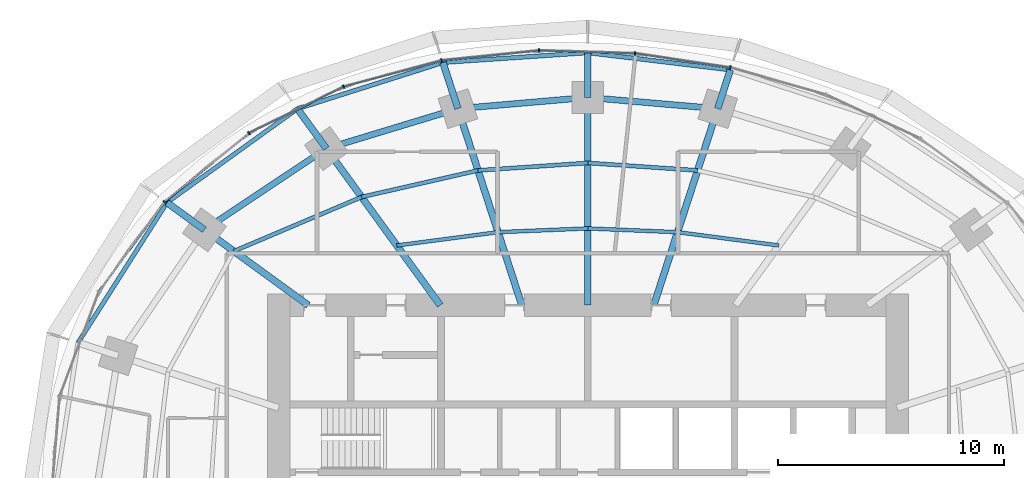
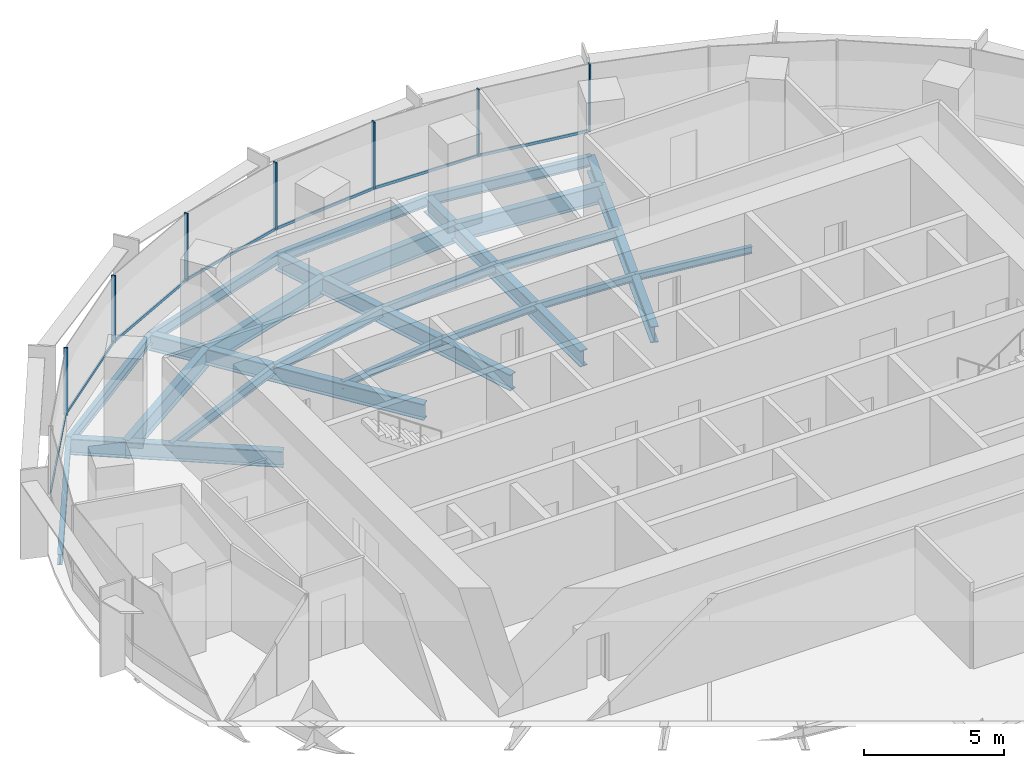
# One storey, part 7 of 14: 27 beams, 14 members, 2 elements without a shape of their own.
"""IFC4 building model written with IfcOpenShell, lengths in metres."""

from ifc_helpers import new_model, si_unit, direction, frame, origin, origin_2d, place, context, subcontext, project, spatial, rectangle, i_section, extrude, material, material_profile, profile_set, type_object, element, aggregate, save


model = new_model("IFC4")

# Units and contexts
model_context = context("Model", 3, precision=1e-05, world=origin(), true_north=direction((0.0, 1.0)))
body_context = subcontext(model_context, "Body", "Model", "MODEL_VIEW")
ifc_project = project(units=[si_unit("LENGTHUNIT", "METRE"), si_unit("AREAUNIT", "SQUARE_METRE"), si_unit("VOLUMEUNIT", "CUBIC_METRE"), si_unit("PLANEANGLEUNIT", "RADIAN"), si_unit("MASSUNIT", "GRAM", prefix="KILO")], contexts=[model_context])

# Site, building, storey
site_placement = place(None, origin())
site = spatial("IfcSite", under=ifc_project, at=site_placement, CompositionType="ELEMENT")
building_placement = place(site_placement, origin())
building = spatial("IfcBuilding", under=site, at=building_placement, Name="Marramba Exchange Tower", CompositionType="ELEMENT")
storey_placement = place(building_placement, frame((0.0, 0.0, 179.89990234375)))
storey = spatial("IfcBuildingStorey", under=building, at=storey_placement, Name="L43", CompositionType="ELEMENT", Elevation=179.89990234375)

# Beams
ifc_material_1 = material(Name="Steel AS/NZS 3679.2 grade 300", Category="steel")
ifc_material_profile_1 = material_profile(ifc_material_1, i_section(OverallWidth=0.300048828125, OverallDepth=0.699951171875, WebThickness=0.010009765625, FlangeThickness=0.031982421875, at=origin_2d()), Name="700WB173")
ifc_profile_set_1 = profile_set([ifc_material_profile_1], Name="Steel AS/NZS 3679.2 grade 300")
beam_type_1 = type_object("IfcBeamType", Name="Cantilever girder 700WB173", PredefinedType="BEAM", material=ifc_profile_set_1)
beam_1_placement = place(storey_placement, frame((5.75390625, 17.70849609375, -0.510009765625), z_axis=(0.308960771946, 0.951074782232, 0.0), x_axis=(-0.951074782232, 0.308960771946, 0.0)))
element("IfcBeam", 1, at=beam_1_placement, inside=storey, type_object=beam_type_1, Name="Cantilever girder L43 TC05", PredefinedType="BEAM", context=body_context, shape_type="SweptSolid", body=[
    extrude(i_section(OverallWidth=0.300048828125, OverallDepth=0.699951171875, WebThickness=0.010009765625, FlangeThickness=0.031982421875, at=origin_2d()), origin(), (0.0, 0.0, 1.0), 1.806396484375),
])
beam_2_placement = place(storey_placement, frame((0.0, 18.2041015625, -0.510009765625), z_axis=(0.0, 1.0, 0.0), x_axis=(-1.0, 0.0, 0.0)))
element("IfcBeam", 2, at=beam_2_placement, inside=storey, type_object=beam_type_1, Name="Cantilever girder L43 TC06", PredefinedType="BEAM", context=body_context, shape_type="SweptSolid", body=[
    extrude(i_section(OverallWidth=0.300048828125, OverallDepth=0.699951171875, WebThickness=0.010009765625, FlangeThickness=0.031982421875, at=origin_2d()), origin(), (0.0, 0.0, 1.0), 1.982177734375),
])
beam_3_placement = place(storey_placement, frame((-5.75390625, 17.70849609375, -0.510009765625), z_axis=(-0.308998798068, 0.951062428441, 0.0), x_axis=(-0.951062428441, -0.308998798068, 0.0)))
element("IfcBeam", 3, at=beam_3_placement, inside=storey, type_object=beam_type_1, Name="Cantilever girder L43 TC07", PredefinedType="BEAM", context=body_context, shape_type="SweptSolid", body=[
    extrude(i_section(OverallWidth=0.300048828125, OverallDepth=0.699951171875, WebThickness=0.010009765625, FlangeThickness=0.031982421875, at=origin_2d()), origin(), (0.0, 0.0, 1.0), 2.150634765625),
])
beam_4_placement = place(storey_placement, frame((-11.581298828125, 15.9404296875, -0.510009765625), z_axis=(-0.587832433352, 0.808982713226, 0.0), x_axis=(-0.808982713226, -0.587832433352, 0.0)))
element("IfcBeam", 4, at=beam_4_placement, inside=storey, type_object=beam_type_1, Name="Cantilever girder L43 TC08", PredefinedType="BEAM", context=body_context, shape_type="SweptSolid", body=[
    extrude(i_section(OverallWidth=0.300048828125, OverallDepth=0.699951171875, WebThickness=0.010009765625, FlangeThickness=0.031982421875, at=origin_2d()), origin(), (0.0, 0.0, 1.0), 2.1826171875),
])
beam_5_placement = place(storey_placement, frame((-16.98583984375, 12.3408203125, -0.510009765625), z_axis=(-0.808962446125, 0.587860324192, 0.0), x_axis=(-0.587860324192, -0.808962446125, 0.0)))
element("IfcBeam", 5, at=beam_5_placement, inside=storey, type_object=beam_type_1, Name="Cantilever girder L43 TC09", PredefinedType="BEAM", context=body_context, shape_type="SweptSolid", body=[
    extrude(i_section(OverallWidth=0.300048828125, OverallDepth=0.699951171875, WebThickness=0.010009765625, FlangeThickness=0.031982421875, at=origin_2d()), origin(), (0.0, 0.0, 1.0), 2.051513671875),
])
ifc_material_2 = material(Name="Steel AS/NZS 3679.1 grade 300", Category="steel")
ifc_material_profile_2 = material_profile(ifc_material_2, i_section(OverallWidth=0.166015625, OverallDepth=0.306884765625, WebThickness=0.006591796875, FlangeThickness=0.01171875, FilletRadius=0.011474609375, at=origin_2d()), Name="310UB46.2")
ifc_profile_set_2 = profile_set([ifc_material_profile_2], Name="Steel AS/NZS 3679.1 grade 300")
beam_type_2 = type_object("IfcBeamType", Name="Floor joist 310UB46.2", PredefinedType="JOIST", material=ifc_profile_set_2)
beam_6_placement = place(storey_placement, frame((8.4619140625, 11.646728515625, -0.3134765625), z_axis=(-0.991480538255, 0.130254912618, 0.0), x_axis=(-0.130254912618, -0.991480538255, 0.0)))
element("IfcBeam", 6, at=beam_6_placement, inside=storey, type_object=beam_type_2, Name="Joist L43 bay 04 row 1", PredefinedType="JOIST", context=body_context, shape_type="SweptSolid", body=[
    extrude(i_section(OverallWidth=0.166015625, OverallDepth=0.306884765625, WebThickness=0.006591796875, FlangeThickness=0.01171875, FilletRadius=0.011474609375, at=origin_2d()), origin(), (0.0, 0.0, 1.0), 4.524658203125),
])
for number, where, z_axis, x_axis, name in (
    (7, (3.975830078125, 12.236083984375, -0.3134765625), (-0.999137002892, 0.041536122257, 0.0), (-0.041536122257, -0.999137002892, 0.0), "Joist L43 bay 05 row 1"),
    (8, (0.0, 12.4013671875, -0.3134765625), (-0.999137002892, -0.041536122257, 0.0), (0.041536122257, -0.999137002892, 0.0), "Joist L43 bay 06 row 1"),
):
    element("IfcBeam", number, at=place(storey_placement, frame(where, z_axis=z_axis, x_axis=x_axis)), inside=storey, type_object=beam_type_2, Name=name, PredefinedType="JOIST", context=body_context, shape_type="SweptSolid", body=[
        extrude(i_section(OverallWidth=0.166015625, OverallDepth=0.306884765625, WebThickness=0.006591796875, FlangeThickness=0.01171875, FilletRadius=0.011474609375, at=origin_2d()), origin(), (0.0, 0.0, 1.0), 3.979248046875),
    ])
beam_7_placement = place(storey_placement, frame((-3.975830078125, 12.236083984375, -0.3134765625), z_axis=(-0.991480538255, -0.130254912618, 0.0), x_axis=(0.130254912618, -0.991480538255, 0.0)))
element("IfcBeam", 9, at=beam_7_placement, inside=storey, type_object=beam_type_2, Name="Joist L43 bay 07 row 1", PredefinedType="JOIST", context=body_context, shape_type="SweptSolid", body=[
    extrude(i_section(OverallWidth=0.166015625, OverallDepth=0.306884765625, WebThickness=0.006591796875, FlangeThickness=0.01171875, FilletRadius=0.011474609375, at=origin_2d()), origin(), (0.0, 0.0, 1.0), 4.524658203125),
])
ifc_material_profile_3 = material_profile(ifc_material_2, i_section(OverallWidth=0.177978515625, OverallDepth=0.406005859375, WebThickness=0.0078125, FlangeThickness=0.0126953125, FilletRadius=0.011474609375, at=origin_2d()), Name="410UB59.7")
ifc_profile_set_3 = profile_set([ifc_material_profile_3], Name="Steel AS/NZS 3679.1 grade 300")
beam_type_3 = type_object("IfcBeamType", Name="Floor joist 410UB59.7", PredefinedType="JOIST", material=ifc_profile_set_3)
for number, where, z_axis, x_axis, name in (
    (10, (4.86474609375, 14.972412109375, -0.36279296875), (-0.997702652202, 0.067745241816, 0.0), (-0.067745241816, -0.997702652202, 0.0), "Joist L43 bay 05 row 2"),
    (11, (0.0, 15.302734375, -0.36279296875), (-0.997702652202, -0.067745241816, 0.0), (0.067745241816, -0.997702652202, 0.0), "Joist L43 bay 06 row 2"),
):
    element("IfcBeam", number, at=place(storey_placement, frame(where, z_axis=z_axis, x_axis=x_axis)), inside=storey, type_object=beam_type_3, Name=name, PredefinedType="JOIST", context=body_context, shape_type="SweptSolid", body=[
        extrude(i_section(OverallWidth=0.177978515625, OverallDepth=0.406005859375, WebThickness=0.0078125, FlangeThickness=0.0126953125, FilletRadius=0.011474609375, at=origin_2d()), origin(), (0.0, 0.0, 1.0), 4.8759765625),
    ])
beam_8_placement = place(storey_placement, frame((-4.86474609375, 14.972412109375, -0.36279296875), z_axis=(-0.974859652292, -0.222819788916, 0.0), x_axis=(0.222819788916, -0.974859652292, 0.0)))
element("IfcBeam", 12, at=beam_8_placement, inside=storey, type_object=beam_type_3, Name="Joist L43 bay 07 row 2", PredefinedType="JOIST", context=body_context, shape_type="SweptSolid", body=[
    extrude(i_section(OverallWidth=0.177978515625, OverallDepth=0.406005859375, WebThickness=0.0078125, FlangeThickness=0.0126953125, FilletRadius=0.011474609375, at=origin_2d()), origin(), (0.0, 0.0, 1.0), 5.2900390625),
])
beam_9_placement = place(storey_placement, frame((-10.021728515625, 13.793701171875, -0.36279296875), z_axis=(-0.920674336375, -0.390331610738, 0.0), x_axis=(0.390331610738, -0.920674336375, 0.0)))
element("IfcBeam", 13, at=beam_9_placement, inside=storey, type_object=beam_type_3, Name="Joist L43 bay 08 row 2", PredefinedType="JOIST", context=body_context, shape_type="SweptSolid", body=[
    extrude(i_section(OverallWidth=0.177978515625, OverallDepth=0.406005859375, WebThickness=0.0078125, FlangeThickness=0.0126953125, FilletRadius=0.011474609375, at=origin_2d()), origin(), (0.0, 0.0, 1.0), 6.1484375),
])

# Curtain wall, members
ifc_material_3 = material(Name="Aluminium framing, bronze anodised", Category="aluminium")
curtain_wall_type = type_object("IfcCurtainWallType", Name="Office ribbon curtain wall", PredefinedType="USERDEFINED", material=ifc_material_3)
curtain_wall_1_placement = place(storey_placement, origin())
curtain_wall_1 = element("IfcCurtainWall", 14, at=curtain_wall_1_placement, inside=storey, type_object=curtain_wall_type, Name="Curtain wall CW4 L43 F06-F10", ObjectType="RIBBON CURTAIN WALL", PredefinedType="USERDEFINED")
ifc_material_4 = material(Name="Aluminium mullion, bronze anodised", Category="aluminium")
ifc_material_profile_4 = material_profile(ifc_material_4, rectangle(XDim=0.159912109375, YDim=0.06005859375, at=origin_2d()), Name="CW4 mullion 60x160")
ifc_profile_set_4 = profile_set([ifc_material_profile_4], Name="Aluminium mullion, bronze anodised")
member_type_1 = type_object("IfcMemberType", Name="Office ribbon curtain wall mullion", PredefinedType="MULLION", material=ifc_profile_set_4)
member_1_placement = place(storey_placement, frame((6.313232421875, 19.526123046875, 0.800048828125), z_axis=(0.0, 0.0, 1.0), x_axis=(-0.148794988635, -0.988868065698, 0.0)))
member_1 = element("IfcMember", 15, at=member_1_placement, type_object=member_type_1, Name="CW4 mullion 1", PredefinedType="MULLION", context=body_context, shape_type="SweptSolid", body=[
    extrude(rectangle(XDim=0.159912109375, YDim=0.06005859375, at=origin_2d()), origin(), (0.0, 0.0, 1.0), 2.93994140625),
])
member_2_placement = place(storey_placement, frame((2.088623046875, 20.158203125, 0.800048828125), z_axis=(0.0, 0.0, 1.0), x_axis=(-0.03039385249, -0.999538000143, 0.0)))
member_2 = element("IfcMember", 16, at=member_2_placement, type_object=member_type_1, Name="CW4 mullion 1", PredefinedType="MULLION", context=body_context, shape_type="SweptSolid", body=[
    extrude(rectangle(XDim=0.159912109375, YDim=0.06005859375, at=origin_2d()), origin(), (0.0, 0.0, 1.0), 2.93994140625),
])
member_3_placement = place(storey_placement, frame((-2.162109375, 20.28369140625, 0.800048828125), z_axis=(0.0, 0.0, 1.0), x_axis=(0.100862673507, -0.994900357369, 0.0)))
member_3 = element("IfcMember", 17, at=member_3_placement, type_object=member_type_1, Name="CW4 mullion 1", PredefinedType="MULLION", context=body_context, shape_type="SweptSolid", body=[
    extrude(rectangle(XDim=0.159912109375, YDim=0.06005859375, at=origin_2d()), origin(), (0.0, 0.0, 1.0), 2.93994140625),
])
member_4_placement = place(storey_placement, frame((-6.478271484375, 19.84130859375, 0.800048828125), z_axis=(0.0, 0.0, 1.0), x_axis=(0.257641223778, -0.966240653155, 0.0)))
member_4 = element("IfcMember", 18, at=member_4_placement, type_object=member_type_1, Name="CW4 mullion 1", PredefinedType="MULLION", context=body_context, shape_type="SweptSolid", body=[
    extrude(rectangle(XDim=0.159912109375, YDim=0.06005859375, at=origin_2d()), origin(), (0.0, 0.0, 1.0), 2.93994140625),
])

curtain_wall_2_placement = place(storey_placement, origin())
curtain_wall_2 = element("IfcCurtainWall", 19, at=curtain_wall_2_placement, inside=storey, type_object=curtain_wall_type, Name="Curtain wall CW4 L43 F11-F15", ObjectType="RIBBON CURTAIN WALL", PredefinedType="USERDEFINED")
member_5_placement = place(storey_placement, frame((-10.818359375, 18.677978515625, 0.800048828125), z_axis=(0.0, 0.0, 1.0), x_axis=(0.438972456661, -0.898500518805, 0.0)))
member_5 = element("IfcMember", 20, at=member_5_placement, type_object=member_type_1, Name="CW4 mullion 1", PredefinedType="MULLION", context=body_context, shape_type="SweptSolid", body=[
    extrude(rectangle(XDim=0.159912109375, YDim=0.06005859375, at=origin_2d()), origin(), (0.0, 0.0, 1.0), 2.93994140625),
])
member_6_placement = place(storey_placement, frame((-15.008056640625, 16.62353515625, 0.800048828125), z_axis=(0.0, 0.0, 1.0), x_axis=(0.630200830464, -0.776432169145, 0.0)))
member_6 = element("IfcMember", 21, at=member_6_placement, type_object=member_type_1, Name="CW4 mullion 1", PredefinedType="MULLION", context=body_context, shape_type="SweptSolid", body=[
    extrude(rectangle(XDim=0.159912109375, YDim=0.06005859375, at=origin_2d()), origin(), (0.0, 0.0, 1.0), 2.93994140625),
])
member_7_placement = place(storey_placement, frame((-18.744140625, 13.581298828125, 0.800048828125), z_axis=(0.0, 0.0, 1.0), x_axis=(0.805965197024, -0.591962922138, 0.0)))
member_7 = element("IfcMember", 22, at=member_7_placement, type_object=member_type_1, Name="CW4 mullion 1", PredefinedType="MULLION", context=body_context, shape_type="SweptSolid", body=[
    extrude(rectangle(XDim=0.159912109375, YDim=0.06005859375, at=origin_2d()), origin(), (0.0, 0.0, 1.0), 2.93994140625),
])

# Member
ifc_material_5 = material(Name="Aluminium transom, bronze anodised", Category="aluminium")
ifc_material_profile_5 = material_profile(ifc_material_5, rectangle(XDim=0.06005859375, YDim=0.1201171875, at=origin_2d()), Name="CW4 transom 60x120")
ifc_profile_set_5 = profile_set([ifc_material_profile_5], Name="Aluminium transom, bronze anodised")
member_type_2 = type_object("IfcMemberType", Name="Office ribbon curtain wall transom", PredefinedType="USERDEFINED", material=ifc_profile_set_5)
member_8_placement = place(storey_placement, frame((6.28369140625, 19.53076171875, 0.830078125), z_axis=(-0.988868222508, 0.148793946493, 0.0), x_axis=(-0.148793946493, -0.988868222508, 0.0)))
member_8 = element("IfcMember", 23, at=member_8_placement, type_object=member_type_2, Name="CW4 sill transom", ObjectType="TRANSOM", PredefinedType="USERDEFINED", context=body_context, shape_type="SweptSolid", body=[
    extrude(rectangle(XDim=0.06005859375, YDim=0.1201171875, at=origin_2d()), origin(), (0.0, 0.0, 1.0), 4.2119140625),
])

member_9_placement = place(storey_placement, frame((2.05859375, 20.1591796875, 0.830078125), z_axis=(-0.99953796835, 0.030394898024, 0.0), x_axis=(-0.030394898024, -0.99953796835, 0.0)))
member_9 = element("IfcMember", 24, at=member_9_placement, type_object=member_type_2, Name="CW4 sill transom", ObjectType="TRANSOM", PredefinedType="USERDEFINED", context=body_context, shape_type="SweptSolid", body=[
    extrude(rectangle(XDim=0.06005859375, YDim=0.1201171875, at=origin_2d()), origin(), (0.0, 0.0, 1.0), 4.19287109375),
])

member_10_placement = place(storey_placement, frame((-2.19189453125, 20.280517578125, 0.830078125), z_axis=(-0.99489954864, -0.100870650418, 0.0), x_axis=(0.100870650418, -0.99489954864, 0.0)))
member_10 = element("IfcMember", 25, at=member_10_placement, type_object=member_type_2, Name="CW4 sill transom", ObjectType="TRANSOM", PredefinedType="USERDEFINED", context=body_context, shape_type="SweptSolid", body=[
    extrude(rectangle(XDim=0.06005859375, YDim=0.1201171875, at=origin_2d()), origin(), (0.0, 0.0, 1.0), 4.279052734375),
])

member_11_placement = place(storey_placement, frame((-6.50732421875, 19.83349609375, 0.830078125), z_axis=(-0.966237681407, -0.25765236857, 0.0), x_axis=(0.25765236857, -0.966237681407, 0.0)))
member_11 = element("IfcMember", 26, at=member_11_placement, type_object=member_type_2, Name="CW4 sill transom", ObjectType="TRANSOM", PredefinedType="USERDEFINED", context=body_context, shape_type="SweptSolid", body=[
    extrude(rectangle(XDim=0.06005859375, YDim=0.1201171875, at=origin_2d()), origin(), (0.0, 0.0, 1.0), 4.43359375),
])

aggregate(curtain_wall_1, [member_1, member_8, member_2, member_9, member_3, member_10, member_4, member_11])

member_12_placement = place(storey_placement, frame((-10.84521484375, 18.664794921875, 0.830078125), z_axis=(-0.898501418486, -0.438970615165, 0.0), x_axis=(0.438970615165, -0.898501418486, 0.0)))
member_12 = element("IfcMember", 27, at=member_12_placement, type_object=member_type_2, Name="CW4 sill transom", ObjectType="TRANSOM", PredefinedType="USERDEFINED", context=body_context, shape_type="SweptSolid", body=[
    extrude(rectangle(XDim=0.06005859375, YDim=0.1201171875, at=origin_2d()), origin(), (0.0, 0.0, 1.0), 4.607177734375),
])

member_13_placement = place(storey_placement, frame((-15.031494140625, 16.6044921875, 0.830078125), z_axis=(-0.776424623019, -0.630210127473, 0.0), x_axis=(0.630210127473, -0.776424623019, 0.0)))
member_13 = element("IfcMember", 28, at=member_13_placement, type_object=member_type_2, Name="CW4 sill transom", ObjectType="TRANSOM", PredefinedType="USERDEFINED", context=body_context, shape_type="SweptSolid", body=[
    extrude(rectangle(XDim=0.06005859375, YDim=0.1201171875, at=origin_2d()), origin(), (0.0, 0.0, 1.0), 4.7587890625),
])

member_14_placement = place(storey_placement, frame((-18.761962890625, 13.55712890625, 0.830078125), z_axis=(-0.591957380483, -0.805969267213, 0.0), x_axis=(0.805969267213, -0.591957380483, 0.0)))
member_14 = element("IfcMember", 29, at=member_14_placement, type_object=member_type_2, Name="CW4 sill transom", ObjectType="TRANSOM", PredefinedType="USERDEFINED", context=body_context, shape_type="SweptSolid", body=[
    extrude(rectangle(XDim=0.06005859375, YDim=0.1201171875, at=origin_2d()), origin(), (0.0, 0.0, 1.0), 4.865478515625),
])

aggregate(curtain_wall_2, [member_5, member_12, member_6, member_13, member_7, member_14])

# Beams
ifc_material_profile_6 = material_profile(ifc_material_1, i_section(OverallWidth=0.300048828125, OverallDepth=0.699951171875, WebThickness=0.010009765625, FlangeThickness=0.031982421875, at=origin_2d()), Name="700WB173")
ifc_profile_set_6 = profile_set([ifc_material_profile_6], Name="Steel AS/NZS 3679.2 grade 300")
beam_type_4 = type_object("IfcBeamType", Name="Radial girder 700WB173", PredefinedType="BEAM", material=ifc_profile_set_6)
beam_10_placement = place(storey_placement, frame((2.92431640625, 9.0, -0.510009765625), z_axis=(0.309019754162, 0.951055619582, 0.0), x_axis=(-0.951055619582, 0.309019754162, 0.0)))
element("IfcBeam", 30, at=beam_10_placement, inside=storey, type_object=beam_type_4, Name="Radial girder L43 TC05", PredefinedType="BEAM", context=body_context, shape_type="SweptSolid", body=[
    extrude(i_section(OverallWidth=0.300048828125, OverallDepth=0.699951171875, WebThickness=0.010009765625, FlangeThickness=0.031982421875, at=origin_2d()), origin(), (0.0, 0.0, 1.0), 9.15673828125),
])
beam_11_placement = place(storey_placement, frame((0.0, 9.0, -0.510009765625), z_axis=(0.0, 1.0, 0.0), x_axis=(-1.0, 0.0, 0.0)))
element("IfcBeam", 31, at=beam_11_placement, inside=storey, type_object=beam_type_4, Name="Radial girder L43 TC06", PredefinedType="BEAM", context=body_context, shape_type="SweptSolid", body=[
    extrude(i_section(OverallWidth=0.300048828125, OverallDepth=0.699951171875, WebThickness=0.010009765625, FlangeThickness=0.031982421875, at=origin_2d()), origin(), (0.0, 0.0, 1.0), 9.2041015625),
])
beam_12_placement = place(storey_placement, frame((-2.92431640625, 9.0, -0.510009765625), z_axis=(-0.309019754162, 0.951055619582, 0.0), x_axis=(-0.951055619582, -0.309019754162, 0.0)))
element("IfcBeam", 32, at=beam_12_placement, inside=storey, type_object=beam_type_4, Name="Radial girder L43 TC07", PredefinedType="BEAM", context=body_context, shape_type="SweptSolid", body=[
    extrude(i_section(OverallWidth=0.300048828125, OverallDepth=0.699951171875, WebThickness=0.010009765625, FlangeThickness=0.031982421875, at=origin_2d()), origin(), (0.0, 0.0, 1.0), 9.15673828125),
])
beam_13_placement = place(storey_placement, frame((-6.538818359375, 9.0, -0.510009765625), z_axis=(-0.587782439969, 0.80901903764, 0.0), x_axis=(-0.80901903764, -0.587782439969, 0.0)))
element("IfcBeam", 33, at=beam_13_placement, inside=storey, type_object=beam_type_4, Name="Radial girder L43 TC08", PredefinedType="BEAM", context=body_context, shape_type="SweptSolid", body=[
    extrude(i_section(OverallWidth=0.300048828125, OverallDepth=0.699951171875, WebThickness=0.010009765625, FlangeThickness=0.031982421875, at=origin_2d()), origin(), (0.0, 0.0, 1.0), 8.578857421875),
])
beam_14_placement = place(storey_placement, frame((-12.387451171875, 9.0, -0.510009765625), z_axis=(-0.809025746925, 0.587773205252, 0.0), x_axis=(-0.587773205252, -0.809025746925, 0.0)))
element("IfcBeam", 34, at=beam_14_placement, inside=storey, type_object=beam_type_4, Name="Radial girder L43 TC09", PredefinedType="BEAM", context=body_context, shape_type="SweptSolid", body=[
    extrude(i_section(OverallWidth=0.300048828125, OverallDepth=0.699951171875, WebThickness=0.010009765625, FlangeThickness=0.031982421875, at=origin_2d()), origin(), (0.0, 0.0, 1.0), 5.683837890625),
])
ifc_material_profile_7 = material_profile(ifc_material_1, i_section(OverallWidth=0.27490234375, OverallDepth=0.800048828125, WebThickness=0.010009765625, FlangeThickness=0.02490234375, at=origin_2d()), Name="800WB168")
ifc_profile_set_7 = profile_set([ifc_material_profile_7], Name="Steel AS/NZS 3679.2 grade 300")
beam_type_5 = type_object("IfcBeamType", Name="Ring beam 800WB168", PredefinedType="SPANDREL", material=ifc_profile_set_7)
for number, where, z_axis, x_axis, name in (
    (35, (5.75390625, 17.70849609375, -0.559814453125), (-0.996311003275, 0.085815993578, 0.0), (-0.085815993578, -0.996311003275, 0.0), "Ring beam L43 TC05-TC06"),
    (36, (0.0, 18.2041015625, -0.559814453125), (-0.996311003275, -0.085815993578, 0.0), (0.085815993578, -0.996311003275, 0.0), "Ring beam L43 TC06-TC07"),
):
    element("IfcBeam", number, at=place(storey_placement, frame(where, z_axis=z_axis, x_axis=x_axis)), inside=storey, type_object=beam_type_5, Name=name, PredefinedType="SPANDREL", context=body_context, shape_type="SweptSolid", body=[
        extrude(i_section(OverallWidth=0.27490234375, OverallDepth=0.800048828125, WebThickness=0.010009765625, FlangeThickness=0.02490234375, at=origin_2d()), origin(), (0.0, 0.0, 1.0), 5.775146484375),
    ])
beam_15_placement = place(storey_placement, frame((-5.75390625, 17.70849609375, -0.559814453125), z_axis=(-0.956924542524, -0.290336735387, 0.0), x_axis=(0.290336735387, -0.956924542524, 0.0)))
element("IfcBeam", 37, at=beam_15_placement, inside=storey, type_object=beam_type_5, Name="Ring beam L43 TC07-TC08", PredefinedType="SPANDREL", context=body_context, shape_type="SweptSolid", body=[
    extrude(i_section(OverallWidth=0.27490234375, OverallDepth=0.800048828125, WebThickness=0.010009765625, FlangeThickness=0.02490234375, at=origin_2d()), origin(), (0.0, 0.0, 1.0), 6.089599609375),
])
beam_16_placement = place(storey_placement, frame((-11.581298828125, 15.9404296875, -0.559814453125), z_axis=(-0.832293151443, -0.554335737673, 0.0), x_axis=(0.554335737673, -0.832293151443, 0.0)))
element("IfcBeam", 38, at=beam_16_placement, inside=storey, type_object=beam_type_5, Name="Ring beam L43 TC08-TC09", PredefinedType="SPANDREL", context=body_context, shape_type="SweptSolid", body=[
    extrude(i_section(OverallWidth=0.27490234375, OverallDepth=0.800048828125, WebThickness=0.010009765625, FlangeThickness=0.02490234375, at=origin_2d()), origin(), (0.0, 0.0, 1.0), 6.49365234375),
])
ifc_material_profile_8 = material_profile(ifc_material_2, i_section(OverallWidth=0.19091796875, OverallDepth=0.4599609375, WebThickness=0.010009765625, FlangeThickness=0.01611328125, FilletRadius=0.011474609375, at=origin_2d()), Name="460UB82.1")
ifc_profile_set_8 = profile_set([ifc_material_profile_8], Name="Steel AS/NZS 3679.1 grade 300")
beam_type_6 = type_object("IfcBeamType", Name="Slab edge beam 460UB82.1", PredefinedType="SPANDREL", material=ifc_profile_set_8)
beam_17_placement = place(storey_placement, frame((6.31201171875, 19.426513671875, -0.389892578125), z_axis=(-0.992833525914, 0.119505605811, 0.0), x_axis=(-0.119505605811, -0.992833525914, 0.0)))
element("IfcBeam", 39, at=beam_17_placement, inside=storey, type_object=beam_type_6, Name="Slab edge beam L43 TC05-TC06", PredefinedType="SPANDREL", context=body_context, shape_type="SweptSolid", body=[
    extrude(i_section(OverallWidth=0.19091796875, OverallDepth=0.4599609375, WebThickness=0.010009765625, FlangeThickness=0.01611328125, FilletRadius=0.011474609375, at=origin_2d()), origin(), (0.0, 0.0, 1.0), 6.357666015625),
])
beam_18_placement = place(storey_placement, frame((0.0, 20.186279296875, -0.389892578125), z_axis=(-0.997738737775, -0.06721168903, 0.0), x_axis=(0.06721168903, -0.997738737775, 0.0)))
element("IfcBeam", 40, at=beam_18_placement, inside=storey, type_object=beam_type_6, Name="Slab edge beam L43 TC06-TC07", PredefinedType="SPANDREL", context=body_context, shape_type="SweptSolid", body=[
    extrude(i_section(OverallWidth=0.19091796875, OverallDepth=0.4599609375, WebThickness=0.010009765625, FlangeThickness=0.01611328125, FilletRadius=0.011474609375, at=origin_2d()), origin(), (0.0, 0.0, 1.0), 6.43310546875),
])
beam_19_placement = place(storey_placement, frame((-6.41845703125, 19.75390625, -0.389892578125), z_axis=(-0.953057484675, -0.302789416766, 0.0), x_axis=(0.302789416766, -0.953057484675, 0.0)))
element("IfcBeam", 41, at=beam_19_placement, inside=storey, type_object=beam_type_6, Name="Slab edge beam L43 TC07-TC08", PredefinedType="SPANDREL", context=body_context, shape_type="SweptSolid", body=[
    extrude(i_section(OverallWidth=0.19091796875, OverallDepth=0.4599609375, WebThickness=0.010009765625, FlangeThickness=0.01611328125, FilletRadius=0.011474609375, at=origin_2d()), origin(), (0.0, 0.0, 1.0), 6.76318359375),
])
beam_20_placement = place(storey_placement, frame((-12.8642578125, 17.7060546875, -0.389892578125), z_axis=(-0.811755352788, -0.583997643163, 0.0), x_axis=(0.583997643163, -0.811755352788, 0.0)))
element("IfcBeam", 42, at=beam_20_placement, inside=storey, type_object=beam_type_6, Name="Slab edge beam L43 TC08-TC09", PredefinedType="SPANDREL", context=body_context, shape_type="SweptSolid", body=[
    extrude(i_section(OverallWidth=0.19091796875, OverallDepth=0.4599609375, WebThickness=0.010009765625, FlangeThickness=0.01611328125, FilletRadius=0.011474609375, at=origin_2d()), origin(), (0.0, 0.0, 1.0), 7.121826171875),
])
beam_21_placement = place(storey_placement, frame((-18.6455078125, 13.546875, -0.389892578125), z_axis=(-0.535794396634, -0.844348485245, 0.0), x_axis=(0.844348485245, -0.535794396634, 0.0)))
element("IfcBeam", 43, at=beam_21_placement, inside=storey, type_object=beam_type_6, Name="Slab edge beam L43 TC09-TC10", PredefinedType="SPANDREL", context=body_context, shape_type="SweptSolid", body=[
    extrude(i_section(OverallWidth=0.19091796875, OverallDepth=0.4599609375, WebThickness=0.010009765625, FlangeThickness=0.01611328125, FilletRadius=0.011474609375, at=origin_2d()), origin(), (0.0, 0.0, 1.0), 7.35302734375),
])

save(model, "model.ifc")
